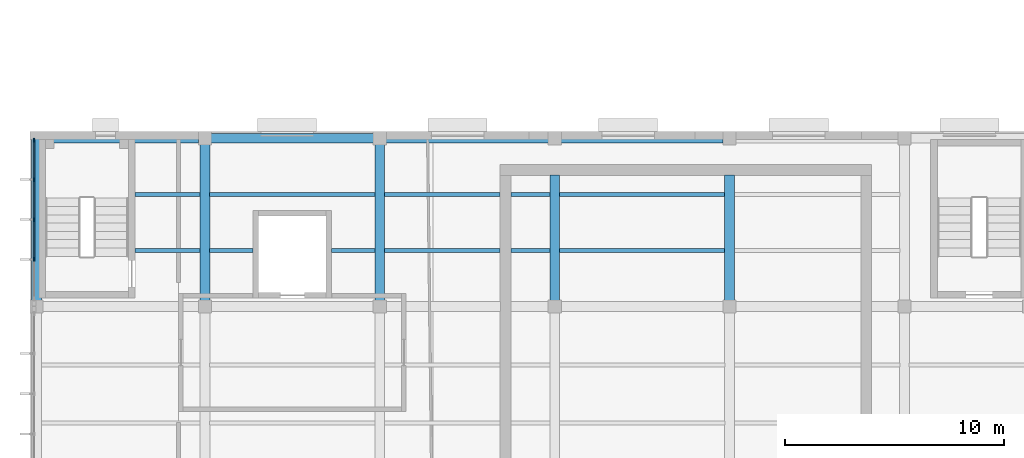
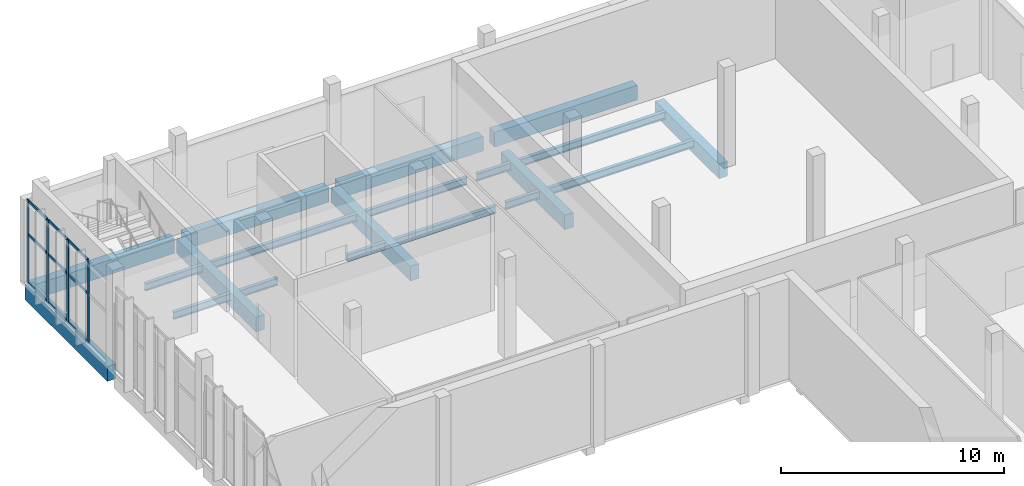
# One storey, part 20 of 112: 20 beams, 13 members, 1 element without a shape of its own.
"""IFC4 building model written with IfcOpenShell, lengths in metres."""

from ifc_helpers import new_model, si_unit, direction, frame, origin, origin_2d, place, context, subcontext, project, spatial, rectangle, i_section, extrude, material, layer, layer_set, material_profile, profile_set, type_object, element, aggregate, save


model = new_model("IFC4")

# Units and contexts
model_context = context("Model", 3, precision=1e-05, world=origin(), true_north=direction((0.0, 1.0)))
body_context = subcontext(model_context, "Body", "Model", "MODEL_VIEW")
ifc_project = project(units=[si_unit("LENGTHUNIT", "METRE"), si_unit("AREAUNIT", "SQUARE_METRE"), si_unit("VOLUMEUNIT", "CUBIC_METRE"), si_unit("PLANEANGLEUNIT", "RADIAN"), si_unit("MASSUNIT", "GRAM", prefix="KILO")], contexts=[model_context])

# Site, building, storey
site_placement = place(None, origin())
site = spatial("IfcSite", under=ifc_project, at=site_placement, CompositionType="ELEMENT")
building_placement = place(site_placement, origin())
building = spatial("IfcBuilding", under=site, at=building_placement, Name="Lunette Opera House", CompositionType="ELEMENT")
storey_placement = place(building_placement, frame((0.0, 0.0, 6.0)))
storey = spatial("IfcBuildingStorey", under=building, at=storey_placement, Name="L01", CompositionType="ELEMENT", Elevation=6.0)

# Curtain wall, members
ifc_material_1 = material(Name="Aluminium", Category="aluminium")
ifc_layer = layer(ifc_material_1, 0.179931640625)
ifc_layer_set = layer_set([ifc_layer], Name="Aluminium")
curtain_wall_type = type_object("IfcCurtainWallType", Name="SUN FACE CURTAIN WALL", PredefinedType="NOTDEFINED", material=ifc_layer_set)
curtain_wall_placement = place(storey_placement, origin())
curtain_wall = element("IfcCurtainWall", 1, at=curtain_wall_placement, inside=storey, type_object=curtain_wall_type, Name="Sun Face Curtain Wall F13 L01", PredefinedType="NOTDEFINED")
ifc_material_2 = material(Name="Aluminium", Category="aluminium")
ifc_material_profile_1 = material_profile(ifc_material_2, rectangle(XDim=0.06005859375, YDim=0.179931640625, at=origin_2d()), Name="MULLION 60 X 180")
ifc_profile_set_1 = profile_set([ifc_material_profile_1], Name="Aluminium")
member_type_1 = type_object("IfcMemberType", Name="MULLION 60 X 180", PredefinedType="MULLION", material=ifc_profile_set_1)
member_1_placement = place(storey_placement, frame((8.181884765625, 111.60498046875, 0.0), z_axis=(0.0, 0.0, 1.0), x_axis=(1.0, 0.0, 0.0)))
member_1 = element("IfcMember", 2, at=member_1_placement, type_object=member_type_1, Name="RW-X2015 mullion 1", PredefinedType="MULLION", context=body_context, shape_type="SweptSolid", body=[
    extrude(rectangle(XDim=0.06005859375, YDim=0.179931640625, at=origin_2d()), origin(), (0.0, 0.0, 1.0), 4.550048828125),
])
member_2_placement = place(storey_placement, frame((8.181884765625, 109.808837890625, 0.0), z_axis=(0.0, 0.0, 1.0), x_axis=(1.0, 0.0, 0.0)))
member_2 = element("IfcMember", 3, at=member_2_placement, type_object=member_type_1, Name="RW-X2015 mullion 2", PredefinedType="MULLION", context=body_context, shape_type="SweptSolid", body=[
    extrude(rectangle(XDim=0.06005859375, YDim=0.179931640625, at=origin_2d()), origin(), (0.0, 0.0, 1.0), 4.550048828125),
])
member_3_placement = place(storey_placement, frame((8.181884765625, 107.982421875, 0.0), z_axis=(0.0, 0.0, 1.0), x_axis=(1.0, 0.0, 0.0)))
member_3 = element("IfcMember", 4, at=member_3_placement, type_object=member_type_1, Name="RW-X2015 mullion 3", PredefinedType="MULLION", context=body_context, shape_type="SweptSolid", body=[
    extrude(rectangle(XDim=0.06005859375, YDim=0.179931640625, at=origin_2d()), origin(), (0.0, 0.0, 1.0), 4.550048828125),
])
member_4_placement = place(storey_placement, frame((8.181884765625, 106.15625, 0.0), z_axis=(0.0, 0.0, 1.0), x_axis=(1.0, 0.0, 0.0)))
member_4 = element("IfcMember", 5, at=member_4_placement, type_object=member_type_1, Name="RW-X2015 mullion 4", PredefinedType="MULLION", context=body_context, shape_type="SweptSolid", body=[
    extrude(rectangle(XDim=0.06005859375, YDim=0.179931640625, at=origin_2d()), origin(), (0.0, 0.0, 1.0), 4.550048828125),
])

# Beams
ifc_material_3 = material(Name="Concrete C35/45", Category="concrete")
ifc_material_profile_2 = material_profile(ifc_material_3, rectangle(XDim=0.449951171875, YDim=0.800048828125, at=origin_2d()), Name="RC BEAM 450X800")
ifc_profile_set_2 = profile_set([ifc_material_profile_2], Name="Concrete C35/45")
beam_type_1 = type_object("IfcBeamType", Name="RC BEAM 450X800", PredefinedType="BEAM", material=ifc_profile_set_2)
beam_1_placement = place(storey_placement, frame((8.300048828125, 104.2900390625, -0.550048828125), z_axis=(0.0, 1.0, 0.0), x_axis=(-1.0, 0.0, 0.0)))
element("IfcBeam", 6, at=beam_1_placement, inside=storey, type_object=beam_type_1, Name="beam-RW-L01-L01-GY05", PredefinedType="BEAM", context=body_context, shape_type="SweptSolid", body=[
    extrude(rectangle(XDim=0.449951171875, YDim=0.800048828125, at=origin_2d()), origin(), (0.0, 0.0, 1.0), 7.409912109375),
])
for number, where, z_axis, x_axis, name in (
    (7, (16.0, 104.2900390625, -0.550048828125), (0.0, 1.0, 0.0), (-1.0, 0.0, 0.0), "beam-RW-L01-L01-GY15"),
    (8, (24.0, 104.2900390625, -0.550048828125), (0.0, 1.0, 0.0), (-1.0, 0.0, 0.0), "beam-RW-L01-L01-GY25"),
):
    element("IfcBeam", number, at=place(storey_placement, frame(where, z_axis=z_axis, x_axis=x_axis)), inside=storey, type_object=beam_type_1, Name=name, PredefinedType="BEAM", context=body_context, shape_type="SweptSolid", body=[
        extrude(rectangle(XDim=0.449951171875, YDim=0.800048828125, at=origin_2d()), origin(), (0.0, 0.0, 1.0), 7.119873046875),
    ])
for number, where, z_axis, x_axis, name in (
    (9, (32.0, 104.2900390625, -0.550048828125), (0.0, 1.0, 0.0), (-1.0, 0.0, 0.0), "beam-RW-L01-L01-GY35"),
    (10, (40.0, 104.2900390625, -0.550048828125), (0.0, 1.0, 0.0), (-1.0, 0.0, 0.0), "beam-RW-L01-L01-GY45"),
):
    element("IfcBeam", number, at=place(storey_placement, frame(where, z_axis=z_axis, x_axis=x_axis)), inside=storey, type_object=beam_type_1, Name=name, PredefinedType="BEAM", context=body_context, shape_type="SweptSolid", body=[
        extrude(rectangle(XDim=0.449951171875, YDim=0.800048828125, at=origin_2d()), origin(), (0.0, 0.0, 1.0), 5.719970703125),
    ])
beam_2_placement = place(storey_placement, frame((8.300048828125, 111.699951171875, -0.550048828125), z_axis=(1.0, 0.0, 0.0), x_axis=(0.0, 1.0, 0.0)))
element("IfcBeam", 11, at=beam_2_placement, inside=storey, type_object=beam_type_1, Name="beam-RW-L01-L01-GX06", PredefinedType="BEAM", context=body_context, shape_type="SweptSolid", body=[
    extrude(rectangle(XDim=0.449951171875, YDim=0.800048828125, at=origin_2d()), origin(), (0.0, 0.0, 1.0), 7.409912109375),
])
for number, where, z_axis, x_axis, name in (
    (12, (16.2900390625, 111.699951171875, -0.550048828125), (1.0, 0.0, 0.0), (0.0, 1.0, 0.0), "beam-RW-L01-L01-GX16"),
    (13, (24.2900390625, 111.699951171875, -0.550048828125), (1.0, 0.0, 0.0), (0.0, 1.0, 0.0), "beam-RW-L01-L01-GX26"),
    (14, (32.2900390625, 111.699951171875, -0.550048828125), (1.0, 0.0, 0.0), (0.0, 1.0, 0.0), "beam-RW-L01-L01-GX36"),
):
    element("IfcBeam", number, at=place(storey_placement, frame(where, z_axis=z_axis, x_axis=x_axis)), inside=storey, type_object=beam_type_1, Name=name, PredefinedType="BEAM", context=body_context, shape_type="SweptSolid", body=[
        extrude(rectangle(XDim=0.449951171875, YDim=0.800048828125, at=origin_2d()), origin(), (0.0, 0.0, 1.0), 7.419921875),
    ])
ifc_material_4 = material(Name="Steel S355", Category="steel")
ifc_material_profile_3 = material_profile(ifc_material_4, i_section(OverallWidth=0.179931640625, OverallDepth=0.39990234375, WebThickness=0.008544921875, FlangeThickness=0.013427734375, FilletRadius=0.02099609375, at=origin_2d()), Name="IPE 400")
ifc_profile_set_3 = profile_set([ifc_material_profile_3], Name="Steel S355")
beam_type_2 = type_object("IfcBeamType", Name="STEEL BEAM IPE 400", PredefinedType="BEAM", material=ifc_profile_set_3)
for number, where, z_axis, x_axis, name in (
    (15, (12.800048828125, 106.56689453125, -0.35009765625), (1.0, 0.0, 0.0), (0.0, 1.0, 0.0), "beam-RW-L01-L01-SX051"),
    (16, (12.800048828125, 109.133056640625, -0.35009765625), (1.0, 0.0, 0.0), (0.0, 1.0, 0.0), "beam-RW-L01-L01-SX052"),
):
    element("IfcBeam", number, at=place(storey_placement, frame(where, z_axis=z_axis, x_axis=x_axis)), inside=storey, type_object=beam_type_2, Name=name, PredefinedType="BEAM", context=body_context, shape_type="SweptSolid", body=[
        extrude(i_section(OverallWidth=0.179931640625, OverallDepth=0.39990234375, WebThickness=0.008544921875, FlangeThickness=0.013427734375, FilletRadius=0.02099609375, at=origin_2d()), origin(), (0.0, 0.0, 1.0), 2.98486328125),
    ])
for number, where, z_axis, x_axis, name in (
    (17, (16.215087890625, 106.56689453125, -0.35009765625), (1.0, 0.0, 0.0), (0.0, 1.0, 0.0), "beam-RW-L01-L01-SX151"),
    (18, (21.800048828125, 106.56689453125, -0.35009765625), (1.0, 0.0, 0.0), (0.0, 1.0, 0.0), "beam-RW-L01-L01-SX151-01"),
):
    element("IfcBeam", number, at=place(storey_placement, frame(where, z_axis=z_axis, x_axis=x_axis)), inside=storey, type_object=beam_type_2, Name=name, PredefinedType="BEAM", context=body_context, shape_type="SweptSolid", body=[
        extrude(i_section(OverallWidth=0.179931640625, OverallDepth=0.39990234375, WebThickness=0.008544921875, FlangeThickness=0.013427734375, FilletRadius=0.02099609375, at=origin_2d()), origin(), (0.0, 0.0, 1.0), 1.98486328125),
    ])
beam_3_placement = place(storey_placement, frame((16.215087890625, 109.133056640625, -0.35009765625), z_axis=(1.0, 0.0, 0.0), x_axis=(0.0, 1.0, 0.0)))
element("IfcBeam", 19, at=beam_3_placement, inside=storey, type_object=beam_type_2, Name="beam-RW-L01-L01-SX152", PredefinedType="BEAM", context=body_context, shape_type="SweptSolid", body=[
    extrude(i_section(OverallWidth=0.179931640625, OverallDepth=0.39990234375, WebThickness=0.008544921875, FlangeThickness=0.013427734375, FilletRadius=0.02099609375, at=origin_2d()), origin(), (0.0, 0.0, 1.0), 7.56982421875),
])
beam_4_placement = place(storey_placement, frame((24.215087890625, 106.56689453125, -0.35009765625), z_axis=(1.0, 0.0, 0.0), x_axis=(0.0, 1.0, 0.0)))
element("IfcBeam", 20, at=beam_4_placement, inside=storey, type_object=beam_type_2, Name="beam-RW-L01-L01-SX251", PredefinedType="BEAM", context=body_context, shape_type="SweptSolid", body=[
    extrude(i_section(OverallWidth=0.179931640625, OverallDepth=0.39990234375, WebThickness=0.008544921875, FlangeThickness=0.013427734375, FilletRadius=0.02099609375, at=origin_2d()), origin(), (0.0, 0.0, 1.0), 5.284912109375),
])
beam_5_placement = place(storey_placement, frame((30.0, 106.56689453125, -0.35009765625), z_axis=(1.0, 0.0, 0.0), x_axis=(0.0, 1.0, 0.0)))
element("IfcBeam", 21, at=beam_5_placement, inside=storey, type_object=beam_type_2, Name="beam-RW-L01-L01-SX251-01", PredefinedType="BEAM", context=body_context, shape_type="SweptSolid", body=[
    extrude(i_section(OverallWidth=0.179931640625, OverallDepth=0.39990234375, WebThickness=0.008544921875, FlangeThickness=0.013427734375, FilletRadius=0.02099609375, at=origin_2d()), origin(), (0.0, 0.0, 1.0), 1.784912109375),
])
beam_6_placement = place(storey_placement, frame((24.215087890625, 109.133056640625, -0.35009765625), z_axis=(1.0, 0.0, 0.0), x_axis=(0.0, 1.0, 0.0)))
element("IfcBeam", 22, at=beam_6_placement, inside=storey, type_object=beam_type_2, Name="beam-RW-L01-L01-SX252", PredefinedType="BEAM", context=body_context, shape_type="SweptSolid", body=[
    extrude(i_section(OverallWidth=0.179931640625, OverallDepth=0.39990234375, WebThickness=0.008544921875, FlangeThickness=0.013427734375, FilletRadius=0.02099609375, at=origin_2d()), origin(), (0.0, 0.0, 1.0), 5.284912109375),
])
beam_7_placement = place(storey_placement, frame((30.0, 109.133056640625, -0.35009765625), z_axis=(1.0, 0.0, 0.0), x_axis=(0.0, 1.0, 0.0)))
element("IfcBeam", 23, at=beam_7_placement, inside=storey, type_object=beam_type_2, Name="beam-RW-L01-L01-SX252-01", PredefinedType="BEAM", context=body_context, shape_type="SweptSolid", body=[
    extrude(i_section(OverallWidth=0.179931640625, OverallDepth=0.39990234375, WebThickness=0.008544921875, FlangeThickness=0.013427734375, FilletRadius=0.02099609375, at=origin_2d()), origin(), (0.0, 0.0, 1.0), 1.784912109375),
])
for number, where, z_axis, x_axis, name in (
    (24, (32.215087890625, 106.56689453125, -0.35009765625), (1.0, 0.0, 0.0), (0.0, 1.0, 0.0), "beam-RW-L01-L01-SX351"),
    (25, (32.215087890625, 109.133056640625, -0.35009765625), (1.0, 0.0, 0.0), (0.0, 1.0, 0.0), "beam-RW-L01-L01-SX352"),
):
    element("IfcBeam", number, at=place(storey_placement, frame(where, z_axis=z_axis, x_axis=x_axis)), inside=storey, type_object=beam_type_2, Name=name, PredefinedType="BEAM", context=body_context, shape_type="SweptSolid", body=[
        extrude(i_section(OverallWidth=0.179931640625, OverallDepth=0.39990234375, WebThickness=0.008544921875, FlangeThickness=0.013427734375, FilletRadius=0.02099609375, at=origin_2d()), origin(), (0.0, 0.0, 1.0), 7.56982421875),
    ])

# Member
ifc_material_5 = material(Name="Aluminium", Category="aluminium")
ifc_material_profile_4 = material_profile(ifc_material_5, rectangle(XDim=0.06005859375, YDim=0.139892578125, at=origin_2d()), Name="TRANSOM 60 X 140")
ifc_profile_set_4 = profile_set([ifc_material_profile_4], Name="Aluminium")
member_type_2 = type_object("IfcMemberType", Name="TRANSOM 60 X 140", PredefinedType="USERDEFINED", material=ifc_profile_set_4)
member_5_placement = place(storey_placement, frame((8.181884765625, 111.574951171875, 0.030029296875), z_axis=(0.0, -1.0, 0.0), x_axis=(1.0, 0.0, 0.0)))
member_5 = element("IfcMember", 26, at=member_5_placement, type_object=member_type_2, Name="RW-X2015 transom 1.1", ObjectType="TRANSOM", PredefinedType="USERDEFINED", context=body_context, shape_type="SweptSolid", body=[
    extrude(rectangle(XDim=0.06005859375, YDim=0.139892578125, at=origin_2d()), origin(), (0.0, 0.0, 1.0), 1.736083984375),
])

member_6_placement = place(storey_placement, frame((8.181884765625, 111.574951171875, 2.675048828125), z_axis=(0.0, -1.0, 0.0), x_axis=(1.0, 0.0, 0.0)))
member_6 = element("IfcMember", 27, at=member_6_placement, type_object=member_type_2, Name="RW-X2015 transom 1.2", ObjectType="TRANSOM", PredefinedType="USERDEFINED", context=body_context, shape_type="SweptSolid", body=[
    extrude(rectangle(XDim=0.06005859375, YDim=0.139892578125, at=origin_2d()), origin(), (0.0, 0.0, 1.0), 1.736083984375),
])

member_7_placement = place(storey_placement, frame((8.181884765625, 111.574951171875, 4.52001953125), z_axis=(0.0, -1.0, 0.0), x_axis=(1.0, 0.0, 0.0)))
member_7 = element("IfcMember", 28, at=member_7_placement, type_object=member_type_2, Name="RW-X2015 transom 1.3", ObjectType="TRANSOM", PredefinedType="USERDEFINED", context=body_context, shape_type="SweptSolid", body=[
    extrude(rectangle(XDim=0.06005859375, YDim=0.139892578125, at=origin_2d()), origin(), (0.0, 0.0, 1.0), 1.736083984375),
])

member_8_placement = place(storey_placement, frame((8.181884765625, 109.77880859375, 0.030029296875), z_axis=(0.0, -1.0, 0.0), x_axis=(1.0, 0.0, 0.0)))
member_8 = element("IfcMember", 29, at=member_8_placement, type_object=member_type_2, Name="RW-X2015 transom 2.1", ObjectType="TRANSOM", PredefinedType="USERDEFINED", context=body_context, shape_type="SweptSolid", body=[
    extrude(rectangle(XDim=0.06005859375, YDim=0.139892578125, at=origin_2d()), origin(), (0.0, 0.0, 1.0), 1.766357421875),
])

member_9_placement = place(storey_placement, frame((8.181884765625, 109.77880859375, 2.675048828125), z_axis=(0.0, -1.0, 0.0), x_axis=(1.0, 0.0, 0.0)))
member_9 = element("IfcMember", 30, at=member_9_placement, type_object=member_type_2, Name="RW-X2015 transom 2.2", ObjectType="TRANSOM", PredefinedType="USERDEFINED", context=body_context, shape_type="SweptSolid", body=[
    extrude(rectangle(XDim=0.06005859375, YDim=0.139892578125, at=origin_2d()), origin(), (0.0, 0.0, 1.0), 1.766357421875),
])

member_10_placement = place(storey_placement, frame((8.181884765625, 109.77880859375, 4.52001953125), z_axis=(0.0, -1.0, 0.0), x_axis=(1.0, 0.0, 0.0)))
member_10 = element("IfcMember", 31, at=member_10_placement, type_object=member_type_2, Name="RW-X2015 transom 2.3", ObjectType="TRANSOM", PredefinedType="USERDEFINED", context=body_context, shape_type="SweptSolid", body=[
    extrude(rectangle(XDim=0.06005859375, YDim=0.139892578125, at=origin_2d()), origin(), (0.0, 0.0, 1.0), 1.766357421875),
])

member_11_placement = place(storey_placement, frame((8.181884765625, 107.952392578125, 0.030029296875), z_axis=(0.0, -1.0, 0.0), x_axis=(1.0, 0.0, 0.0)))
member_11 = element("IfcMember", 32, at=member_11_placement, type_object=member_type_2, Name="RW-X2015 transom 3.1", ObjectType="TRANSOM", PredefinedType="USERDEFINED", context=body_context, shape_type="SweptSolid", body=[
    extrude(rectangle(XDim=0.06005859375, YDim=0.139892578125, at=origin_2d()), origin(), (0.0, 0.0, 1.0), 1.76611328125),
])

member_12_placement = place(storey_placement, frame((8.181884765625, 107.952392578125, 2.675048828125), z_axis=(0.0, -1.0, 0.0), x_axis=(1.0, 0.0, 0.0)))
member_12 = element("IfcMember", 33, at=member_12_placement, type_object=member_type_2, Name="RW-X2015 transom 3.2", ObjectType="TRANSOM", PredefinedType="USERDEFINED", context=body_context, shape_type="SweptSolid", body=[
    extrude(rectangle(XDim=0.06005859375, YDim=0.139892578125, at=origin_2d()), origin(), (0.0, 0.0, 1.0), 1.76611328125),
])

member_13_placement = place(storey_placement, frame((8.181884765625, 107.952392578125, 4.52001953125), z_axis=(0.0, -1.0, 0.0), x_axis=(1.0, 0.0, 0.0)))
member_13 = element("IfcMember", 34, at=member_13_placement, type_object=member_type_2, Name="RW-X2015 transom 3.3", ObjectType="TRANSOM", PredefinedType="USERDEFINED", context=body_context, shape_type="SweptSolid", body=[
    extrude(rectangle(XDim=0.06005859375, YDim=0.139892578125, at=origin_2d()), origin(), (0.0, 0.0, 1.0), 1.76611328125),
])

aggregate(curtain_wall, [member_1, member_2, member_3, member_4, member_5, member_6, member_7, member_8, member_9, member_10, member_11, member_12, member_13])

save(model, "model.ifc")
